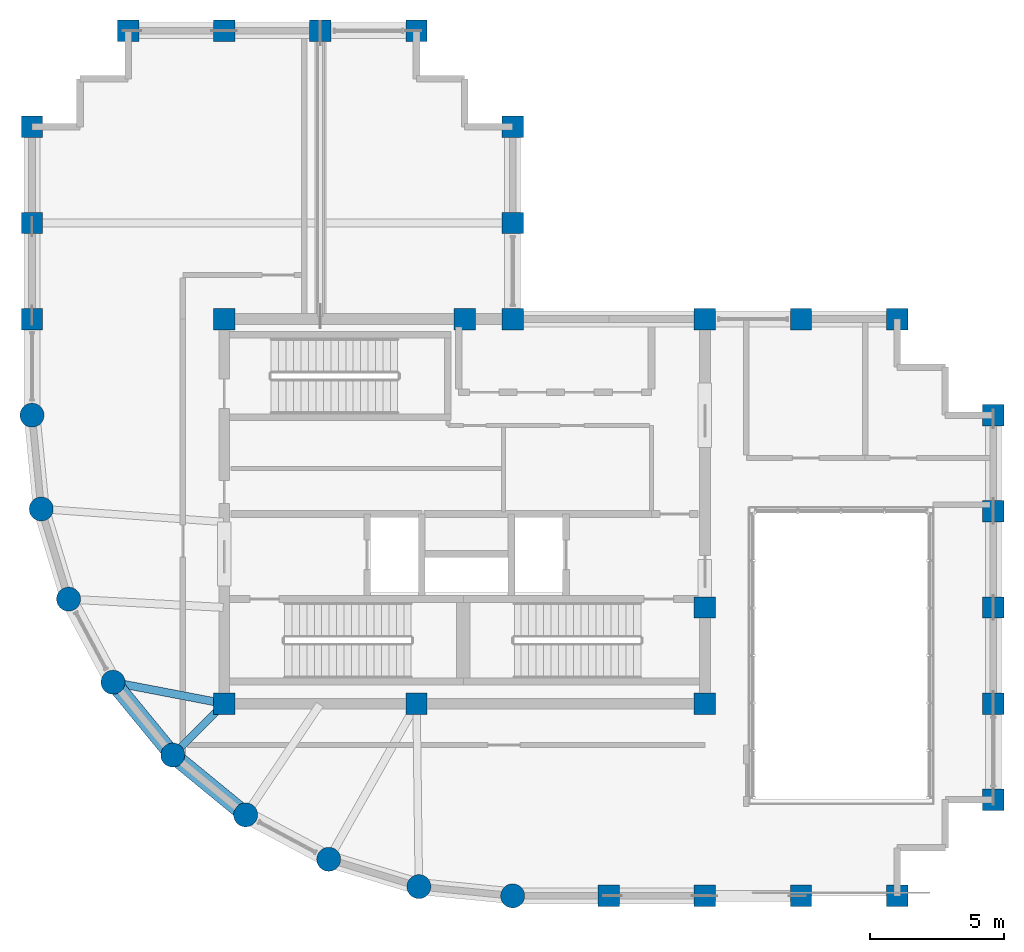
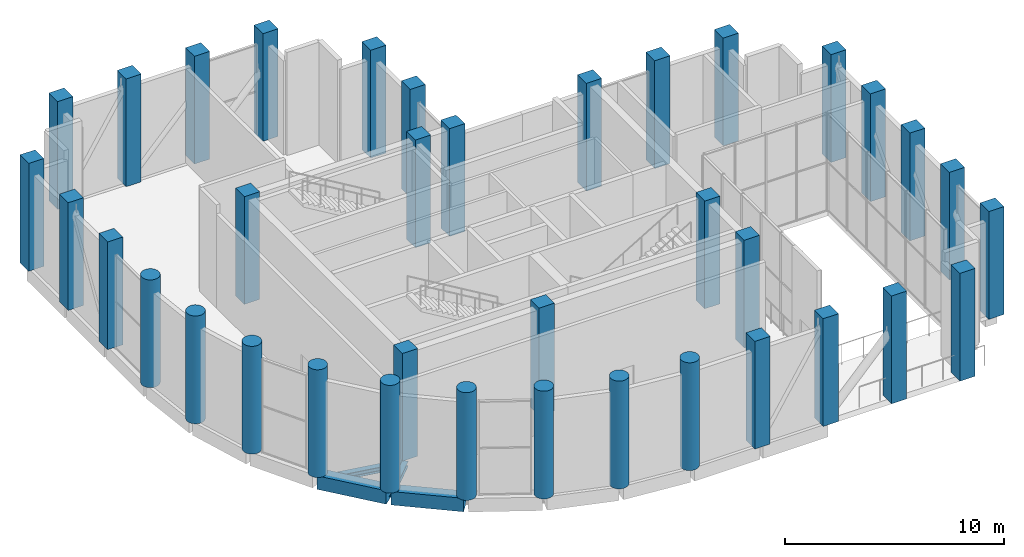
# One storey, part 1 of 17: 37 columns, 4 beams.
"""IFC4 building model written with IfcOpenShell, lengths in metres."""

from ifc_helpers import new_model, si_unit, direction, frame, origin, origin_2d, place, context, subcontext, project, spatial, rectangle, circle, i_section, extrude, material, material_profile, profile_set, type_object, element, save


model = new_model("IFC4")

# Units and contexts
model_context = context("Model", 3, precision=1e-05, world=origin(), true_north=direction((0.0, 1.0)))
body_context = subcontext(model_context, "Body", "Model", "MODEL_VIEW")
ifc_project = project(units=[si_unit("LENGTHUNIT", "METRE"), si_unit("AREAUNIT", "SQUARE_METRE"), si_unit("VOLUMEUNIT", "CUBIC_METRE"), si_unit("PLANEANGLEUNIT", "RADIAN"), si_unit("MASSUNIT", "GRAM", prefix="KILO")], contexts=[model_context])

# Site, building, storey
site_placement = place(None, origin())
site = spatial("IfcSite", under=ifc_project, at=site_placement, CompositionType="ELEMENT")
building_placement = place(site_placement, origin())
building = spatial("IfcBuilding", under=site, at=building_placement, Name="Solnavia Interchange Tower", CompositionType="ELEMENT")
storey_placement = place(building_placement, frame((0.0, 0.0, 249.800048828125)))
storey = spatial("IfcBuildingStorey", under=building, at=storey_placement, Name="L63", CompositionType="ELEMENT", Elevation=249.800048828125)

# Columns
ifc_material_1 = material(Name="Concrete C50/60", Category="concrete")
ifc_material_profile_1 = material_profile(ifc_material_1, rectangle(XDim=0.800048828125, YDim=0.800048828125, at=origin_2d()), Name="RC 800x800")
ifc_profile_set_1 = profile_set([ifc_material_profile_1], Name="Concrete C50/60")
column_type_1 = type_object("IfcColumnType", Name="Col-RC-800x800", PredefinedType="COLUMN", material=ifc_profile_set_1)
for number, where, z_axis, x_axis, name in (
    (1, (7.199951171875, 25.199951171875, 0.0), (0.0, 0.0, 1.0), (0.0, 1.0, 0.0), "COL-L63-02 Tower perim y column"),
    (2, (7.199951171875, 28.800048828125, 0.0), (0.0, 0.0, 1.0), (0.0, 1.0, 0.0), "COL-L63-03 Tower perim y column"),
    (3, (7.199951171875, 32.39990234375, 0.0), (0.0, 0.0, 1.0), (0.0, 1.0, 0.0), "COL-L63-04 Tower corner column"),
    (4, (10.800048828125, 36.0, 0.0), (0.0, 0.0, 1.0), (1.0, 0.0, 0.0), "COL-L63-08 Tower corner column"),
    (5, (14.39990234375, 10.800048828125, 0.0), (0.0, 0.0, 1.0), (1.0, 0.0, 0.0), "COL-L63-10 Tower interior column"),
    (6, (14.39990234375, 25.199951171875, 0.0), (0.0, 0.0, 1.0), (1.0, 0.0, 0.0), "COL-L63-11 Tower interior column"),
    (7, (14.39990234375, 36.0, 0.0), (0.0, 0.0, 1.0), (1.0, 0.0, 0.0), "COL-L63-12 Tower perim x column"),
    (8, (18.0, 36.0, 0.0), (0.0, 0.0, 1.0), (1.0, 0.0, 0.0), "COL-L63-14 Tower perim x column"),
    (9, (21.60009765625, 10.800048828125, 0.0), (0.0, 0.0, 1.0), (1.0, 0.0, 0.0), "COL-L63-16 Tower interior column"),
    (10, (21.60009765625, 36.0, 0.0), (0.0, 0.0, 1.0), (1.0, 0.0, 0.0), "COL-L63-17 Tower corner column"),
    (11, (23.39990234375, 25.199951171875, 0.0), (0.0, 0.0, 1.0), (1.0, 0.0, 0.0), "COL-L63-19 Tower interior column"),
    (12, (25.199951171875, 25.199951171875, 0.0), (0.0, 0.0, 1.0), (1.0, 0.0, 0.0), "COL-L63-21 Tower interior column"),
    (13, (25.199951171875, 28.800048828125, 0.0), (0.0, 0.0, 1.0), (0.0, 1.0, 0.0), "COL-L63-22 Tower perim y column"),
    (14, (25.199951171875, 32.39990234375, 0.0), (0.0, 0.0, 1.0), (0.0, 1.0, 0.0), "COL-L63-23 Tower corner column"),
    (15, (28.800048828125, 3.60009765625, 0.0), (0.0, 0.0, 1.0), (1.0, 0.0, 0.0), "COL-L63-24 Tower perim x column"),
    (16, (32.39990234375, 3.60009765625, 0.0), (0.0, 0.0, 1.0), (1.0, 0.0, 0.0), "COL-L63-25 Tower perim x column"),
    (17, (32.39990234375, 10.800048828125, 0.0), (0.0, 0.0, 1.0), (1.0, 0.0, 0.0), "COL-L63-26 Tower interior column"),
    (18, (32.39990234375, 14.39990234375, 0.0), (0.0, 0.0, 1.0), (1.0, 0.0, 0.0), "COL-L63-27 Tower interior column"),
    (19, (32.39990234375, 25.199951171875, 0.0), (0.0, 0.0, 1.0), (1.0, 0.0, 0.0), "COL-L63-28 Tower interior column"),
    (20, (36.0, 3.60009765625, 0.0), (0.0, 0.0, 1.0), (1.0, 0.0, 0.0), "COL-L63-29 Tower perim x column"),
    (21, (36.0, 25.199951171875, 0.0), (0.0, 0.0, 1.0), (1.0, 0.0, 0.0), "COL-L63-30 Tower perim x column"),
    (22, (39.60009765625, 3.60009765625, 0.0), (0.0, 0.0, 1.0), (1.0, 0.0, 0.0), "COL-L63-31 Tower corner column"),
    (23, (39.60009765625, 25.199951171875, 0.0), (0.0, 0.0, 1.0), (1.0, 0.0, 0.0), "COL-L63-32 Tower corner column"),
    (24, (43.199951171875, 7.199951171875, 0.0), (0.0, 0.0, 1.0), (1.0, 0.0, 0.0), "COL-L63-33 Tower corner column"),
    (25, (43.199951171875, 10.800048828125, 0.0), (0.0, 0.0, 1.0), (0.0, 1.0, 0.0), "COL-L63-34 Tower perim y column"),
    (26, (43.199951171875, 14.39990234375, 0.0), (0.0, 0.0, 1.0), (0.0, 1.0, 0.0), "COL-L63-35 Tower perim y column"),
    (27, (43.199951171875, 18.0, 0.0), (0.0, 0.0, 1.0), (0.0, 1.0, 0.0), "COL-L63-36 Tower perim y column"),
    (28, (43.199951171875, 21.60009765625, 0.0), (0.0, 0.0, 1.0), (0.0, 1.0, 0.0), "COL-L63-37 Tower corner column"),
):
    element("IfcColumn", number, at=place(storey_placement, frame(where, z_axis=z_axis, x_axis=x_axis)), inside=storey, type_object=column_type_1, Name=name, PredefinedType="COLUMN", context=body_context, shape_type="SweptSolid", body=[
        extrude(rectangle(XDim=0.800048828125, YDim=0.800048828125, at=origin_2d()), origin(), (0.0, 0.0, 1.0), 6.0),
    ])
ifc_material_profile_2 = material_profile(ifc_material_1, circle(Radius=0.449951171875, at=origin_2d()), Name="RC D900")
ifc_profile_set_2 = profile_set([ifc_material_profile_2], Name="Concrete C50/60")
column_type_2 = type_object("IfcColumnType", Name="Col-RC-D900", PredefinedType="COLUMN", material=ifc_profile_set_2)
for number, where, z_axis, x_axis, name in (
    (29, (7.199951171875, 21.60009765625, 0.0), (0.0, 0.0, 1.0), (1.0, 0.0, 0.0), "COL-L63-01 Tower drum column"),
    (30, (7.5458984375, 18.087890625, 0.0), (0.0, 0.0, 1.0), (1.0, 0.0, 0.0), "COL-L63-05 Tower drum column"),
    (31, (8.570068359375, 14.7119140625, 0.0), (0.0, 0.0, 1.0), (1.0, 0.0, 0.0), "COL-L63-06 Tower drum column"),
    (32, (10.23388671875, 11.60009765625, 0.0), (0.0, 0.0, 1.0), (1.0, 0.0, 0.0), "COL-L63-07 Tower drum column"),
    (33, (12.471923828125, 8.8720703125, 0.0), (0.0, 0.0, 1.0), (1.0, 0.0, 0.0), "COL-L63-09 Tower drum column"),
    (34, (15.199951171875, 6.634033203125, 0.0), (0.0, 0.0, 1.0), (1.0, 0.0, 0.0), "COL-L63-13 Tower drum column"),
    (35, (18.31201171875, 4.969970703125, 0.0), (0.0, 0.0, 1.0), (1.0, 0.0, 0.0), "COL-L63-15 Tower drum column"),
    (36, (21.68798828125, 3.946044921875, 0.0), (0.0, 0.0, 1.0), (1.0, 0.0, 0.0), "COL-L63-18 Tower drum column"),
    (37, (25.199951171875, 3.60009765625, 0.0), (0.0, 0.0, 1.0), (1.0, 0.0, 0.0), "COL-L63-20 Tower drum column"),
):
    element("IfcColumn", number, at=place(storey_placement, frame(where, z_axis=z_axis, x_axis=x_axis)), inside=storey, type_object=column_type_2, Name=name, PredefinedType="COLUMN", context=body_context, shape_type="SweptSolid", body=[
        extrude(circle(Radius=0.449951171875, at=origin_2d()), origin(), (0.0, 0.0, 1.0), 6.0),
    ])

# Beams
ifc_material_2 = material(Name="Steel S355", Category="steel")
ifc_material_profile_3 = material_profile(ifc_material_2, i_section(OverallWidth=0.280029296875, OverallDepth=0.27001953125, WebThickness=0.008056640625, FlangeThickness=0.012939453125, FilletRadius=0.02392578125, at=origin_2d()), Name="HEA 280")
ifc_profile_set_3 = profile_set([ifc_material_profile_3], Name="Steel S355")
beam_type_1 = type_object("IfcBeamType", Name="Beam-Primary-HEA280", PredefinedType="BEAM", material=ifc_profile_set_3)
beam_1_placement = place(storey_placement, frame((12.528564453125, 8.9287109375, -0.455078125), z_axis=(0.707106781187, 0.707106781187, 0.0), x_axis=(-0.707106781187, 0.707106781187, 0.0)))
element("IfcBeam", 38, at=beam_1_placement, inside=storey, type_object=beam_type_1, Name="GRD-L63-DR06 Drum radial floor girder", PredefinedType="BEAM", context=body_context, shape_type="SweptSolid", body=[
    extrude(i_section(OverallWidth=0.280029296875, OverallDepth=0.27001953125, WebThickness=0.008056640625, FlangeThickness=0.012939453125, FilletRadius=0.02392578125, at=origin_2d()), origin(), (0.0, 0.0, 1.0), 2.6064453125),
])
ifc_material_profile_4 = material_profile(ifc_material_2, i_section(OverallWidth=0.300048828125, OverallDepth=0.31005859375, WebThickness=0.009033203125, FlangeThickness=0.015380859375, FilletRadius=0.027099609375, at=origin_2d()), Name="HEA 320")
ifc_profile_set_4 = profile_set([ifc_material_profile_4], Name="Steel S355")
beam_type_2 = type_object("IfcBeamType", Name="Beam-Primary-HEA320", PredefinedType="BEAM", material=ifc_profile_set_4)
beam_2_placement = place(storey_placement, frame((10.3125, 11.5849609375, -0.47509765625), z_axis=(0.982057527796, -0.188581579428, 0.0), x_axis=(0.188581579428, 0.982057527796, 0.0)))
element("IfcBeam", 39, at=beam_2_placement, inside=storey, type_object=beam_type_2, Name="GRD-L63-DR05 Drum radial floor girder", PredefinedType="BEAM", context=body_context, shape_type="SweptSolid", body=[
    extrude(i_section(OverallWidth=0.300048828125, OverallDepth=0.31005859375, WebThickness=0.009033203125, FlangeThickness=0.015380859375, FilletRadius=0.027099609375, at=origin_2d()), origin(), (0.0, 0.0, 1.0), 4.1220703125),
])
ifc_material_profile_5 = material_profile(ifc_material_1, rectangle(XDim=0.60009765625, YDim=0.75, at=origin_2d()), Name="RC 600x750")
ifc_profile_set_5 = profile_set([ifc_material_profile_5], Name="Concrete C50/60")
beam_type_3 = type_object("IfcBeamType", Name="Beam-Spandrel-RC600x750", PredefinedType="SPANDREL", material=ifc_profile_set_5)
for number, where, z_axis, x_axis, name in (
    (40, (10.28466796875, 11.5380859375, -0.375), (0.634298841675, -0.773087950656, 0.0), (0.773087950656, 0.634298841675, 0.0), "SPB-L63-04 Framed-tube perimeter spandrel beam"),
    (41, (12.53369140625, 8.8212890625, -0.375), (0.773152644452, -0.634219984214, 0.0), (0.634219984214, 0.773152644452, 0.0), "SPB-L63-05 Framed-tube perimeter spandrel beam"),
):
    element("IfcBeam", number, at=place(storey_placement, frame(where, z_axis=z_axis, x_axis=x_axis)), inside=storey, type_object=beam_type_3, Name=name, PredefinedType="SPANDREL", context=body_context, shape_type="SweptSolid", body=[
        extrude(rectangle(XDim=0.60009765625, YDim=0.75, at=origin_2d()), origin(), (0.0, 0.0, 1.0), 3.36865234375),
    ])

save(model, "model.ifc")
